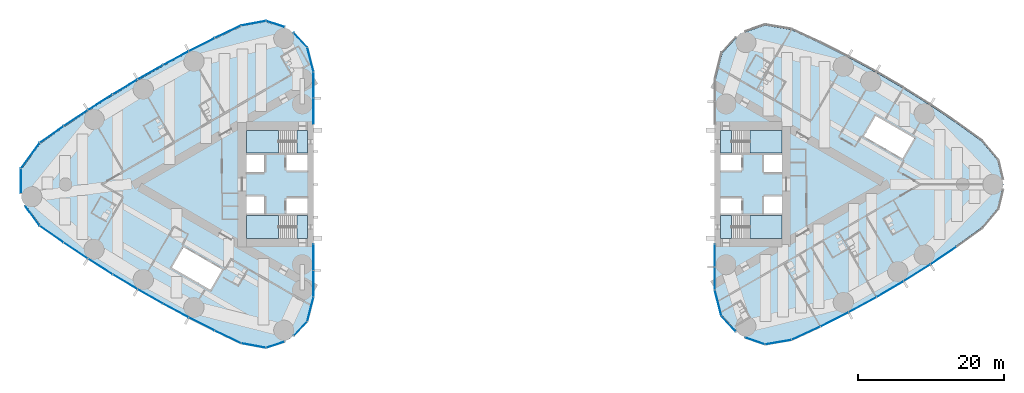
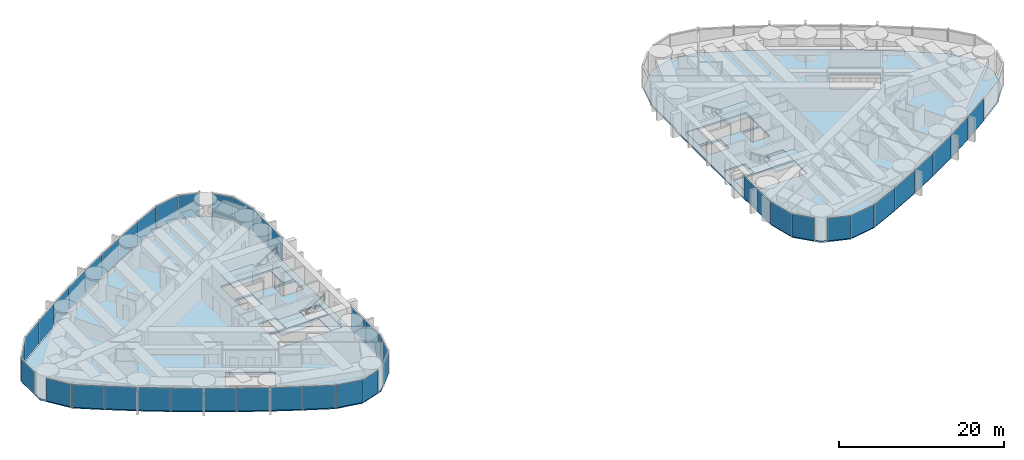
# One storey, part 10 of 19: 43 plates, 10 slabs, 10 elements without a shape of their own.
"""IFC4 building model written with IfcOpenShell, lengths in metres."""

from ifc_helpers import new_model, si_unit, direction, frame, origin, origin_2d, place, context, subcontext, project, spatial, polyline, rectangle, outline, extrude, material, layer, layer_set, type_object, element, aggregate, save


model = new_model("IFC4")

# Units and contexts
model_context = context("Model", 3, precision=1e-05, world=origin(), true_north=direction((0.0, 1.0)))
body_context = subcontext(model_context, "Body", "Model", "MODEL_VIEW")
ifc_project = project(units=[si_unit("LENGTHUNIT", "METRE"), si_unit("AREAUNIT", "SQUARE_METRE"), si_unit("VOLUMEUNIT", "CUBIC_METRE"), si_unit("PLANEANGLEUNIT", "RADIAN"), si_unit("MASSUNIT", "GRAM", prefix="KILO")], contexts=[model_context])

# Site, building, storey
site_placement = place(None, origin())
site = spatial("IfcSite", under=ifc_project, at=site_placement, CompositionType="ELEMENT")
building_placement = place(site_placement, origin())
building = spatial("IfcBuilding", under=site, at=building_placement, Name="Lancet Gate Hotel", CompositionType="ELEMENT")
storey_placement = place(building_placement, frame((0.0, 0.0, 191.300048828125)))
storey = spatial("IfcBuildingStorey", under=building, at=storey_placement, Name="L51", CompositionType="ELEMENT", Elevation=191.300048828125)

# Slabs
ifc_material_1 = material(Name="Concrete C50/60", Category="concrete")
ifc_layer_1 = layer(ifc_material_1, 0.25)
ifc_layer_set_1 = layer_set([ifc_layer_1], Name="Floor slab 250")
slab_type_1 = type_object("IfcSlabType", Name="Floor slab 250", PredefinedType="FLOOR", material=ifc_layer_set_1)
slab_1_placement = place(storey_placement, frame((0.0, 0.0, -0.25)))
element("IfcSlab", 1, at=slab_1_placement, inside=storey, type_object=slab_type_1, Name="T1 L51 floor slab", PredefinedType="FLOOR", context=body_context, shape_type="SweptSolid", body=[
    extrude(outline(polyline([(-27.5, 8.60009765625), (-27.6201171875, 8.60009765625), (-27.6201171875, 15.408203125), (-28.46923828125, 18.7265625), (-30.797607421875, 21.217529296875), (-34.0361328125, 22.283935546875), (-37.403564453125, 21.660400390625), (-40.996826171875, 19.9453125), (-44.561767578125, 18.139404296875), (-48.0830078125, 16.250244140625), (-51.558837890625, 14.27880859375), (-54.987548828125, 12.22607421875), (-58.366943359375, 10.09326171875), (-61.695068359375, 7.881591796875), (-64.955322265625, 5.602783203125), (-67.49560546875, 2.138427734375), (-67.49560546875, -2.138427734375), (-64.955322265625, -5.602783203125), (-61.695068359375, -7.881591796875), (-58.366943359375, -10.09326171875), (-54.987548828125, -12.22607421875), (-51.558837890625, -14.27880859375), (-48.0830078125, -16.250244140625), (-44.561767578125, -18.139404296875), (-40.996826171875, -19.9453125), (-37.403564453125, -21.660400390625), (-34.0361328125, -22.283935546875), (-30.797607421875, -21.217529296875), (-28.46923828125, -18.7265625), (-27.6201171875, -15.408203125), (-27.6201171875, -8.60009765625), (-27.5, -8.60009765625), (-27.5, -8.199951171875), (-27.5, 8.199951171875), (-27.5, 8.60009765625)]), holes=[polyline([(-36.699951171875, 7.39990234375), (-36.699951171875, 4.300048828125), (-28.300048828125, 4.300048828125), (-28.300048828125, 7.39990234375), (-36.699951171875, 7.39990234375)]), polyline([(-28.300048828125, 4.0), (-31.199951171875, 4.0), (-31.199951171875, 1.89990234375), (-28.300048828125, 1.89990234375), (-28.300048828125, 4.0)]), polyline([(-34.25, 4.0), (-36.699951171875, 4.0), (-36.699951171875, 1.64990234375), (-34.25, 1.64990234375), (-34.25, 4.0)]), polyline([(-36.699951171875, -1.64990234375), (-36.699951171875, -4.0), (-34.25, -4.0), (-34.25, -1.64990234375), (-36.699951171875, -1.64990234375)]), polyline([(-28.300048828125, -1.89990234375), (-31.199951171875, -1.89990234375), (-31.199951171875, -4.0), (-28.300048828125, -4.0), (-28.300048828125, -1.89990234375)]), polyline([(-28.300048828125, -4.300048828125), (-36.699951171875, -4.300048828125), (-36.699951171875, -7.39990234375), (-28.300048828125, -7.39990234375), (-28.300048828125, -4.300048828125)]), polyline([(-45.319091796875, -8.631103515625), (-46.9189453125, -11.402099609375), (-41.635986328125, -14.451904296875), (-40.035888671875, -11.680908203125), (-45.319091796875, -8.631103515625)])]), origin(), (0.0, 0.0, 1.0), 0.25),
])
slab_2_placement = place(storey_placement, frame((0.0, 0.0, -0.25)))
element("IfcSlab", 2, at=slab_2_placement, inside=storey, type_object=slab_type_1, Name="T2 L51 floor slab", PredefinedType="FLOOR", context=body_context, shape_type="SweptSolid", body=[
    extrude(outline(polyline([(27.5, -8.60009765625), (27.6201171875, -8.60009765625), (27.6201171875, -14.450439453125), (28.517822265625, -17.9853515625), (30.98291015625, -20.65185546875), (34.421875, -21.819091796875), (38.01513671875, -21.201171875), (41.9296875, -19.383056640625), (45.796875, -17.435302734375), (49.6005859375, -15.36572265625), (53.336669921875, -13.1767578125), (57.00146484375, -10.87060546875), (60.591552734375, -8.44921875), (64.092041015625, -5.9228515625), (66.283447265625, -3.307373046875), (67.06640625, 0.0), (66.283447265625, 3.307373046875), (64.092041015625, 5.9228515625), (60.591552734375, 8.44921875), (57.00146484375, 10.87060546875), (53.336669921875, 13.1767578125), (49.6005859375, 15.36572265625), (45.796875, 17.435302734375), (41.9296875, 19.383056640625), (38.01513671875, 21.201171875), (34.421875, 21.819091796875), (30.98291015625, 20.65185546875), (28.517822265625, 17.9853515625), (27.6201171875, 14.450439453125), (27.6201171875, 8.60009765625), (27.5, 8.60009765625), (27.5, 8.199951171875), (27.5, -8.199951171875), (27.5, -8.60009765625)]), holes=[polyline([(36.699951171875, -7.39990234375), (36.699951171875, -4.300048828125), (28.300048828125, -4.300048828125), (28.300048828125, -7.39990234375), (36.699951171875, -7.39990234375)]), polyline([(28.300048828125, -4.0), (31.199951171875, -4.0), (31.199951171875, -1.89990234375), (28.300048828125, -1.89990234375), (28.300048828125, -4.0)]), polyline([(34.25, -4.0), (36.699951171875, -4.0), (36.699951171875, -1.64990234375), (34.25, -1.64990234375), (34.25, -4.0)]), polyline([(36.699951171875, 1.64990234375), (36.699951171875, 4.0), (34.25, 4.0), (34.25, 1.64990234375), (36.699951171875, 1.64990234375)]), polyline([(28.300048828125, 1.89990234375), (31.199951171875, 1.89990234375), (31.199951171875, 4.0), (28.300048828125, 4.0), (28.300048828125, 1.89990234375)]), polyline([(28.300048828125, 4.300048828125), (36.699951171875, 4.300048828125), (36.699951171875, 7.39990234375), (28.300048828125, 7.39990234375), (28.300048828125, 4.300048828125)]), polyline([(53.242919921875, 3.555908203125), (54.843017578125, 6.326904296875), (49.56103515625, 9.376953125), (47.9609375, 6.60595703125), (53.242919921875, 3.555908203125)])]), origin(), (0.0, 0.0, 1.0), 0.25),
])

# Stair, slabs
ifc_material_2 = material(Name="Exit stair 20 risers 1500")
stair_type = type_object("IfcStairType", Name="Exit stair 20 risers 1500", PredefinedType="HALF_TURN_STAIR", material=ifc_material_2)
stair_1_placement = place(storey_placement, origin())
stair_1 = element("IfcStair", 3, at=stair_1_placement, inside=storey, type_object=stair_type, Name="T1 stair 1 L51", PredefinedType="HALF_TURN_STAIR")
ifc_material_3 = material(Name="Concrete C40/50", Category="concrete")
ifc_layer_2 = layer(ifc_material_3, 0.199951171875)
ifc_layer_set_2 = layer_set([ifc_layer_2], Name="Stair landing 200")
slab_type_2 = type_object("IfcSlabType", Name="Stair landing 200", PredefinedType="LANDING", material=ifc_layer_set_2)
slab_3_placement = place(storey_placement, frame((0.0, 0.0, -0.199951171875)))
slab_3 = element("IfcSlab", 4, at=slab_3_placement, type_object=slab_type_2, Name="ST1 landing 1", PredefinedType="LANDING", context=body_context, shape_type="SweptSolid", body=[
    extrude(outline(polyline([(-28.300048828125, 7.39990234375), (-29.800048828125, 7.39990234375), (-29.800048828125, 4.300048828125), (-28.300048828125, 4.300048828125), (-28.300048828125, 7.39990234375)])), origin(), (0.0, 0.0, 1.0), 0.199951171875),
])
slab_4_placement = place(storey_placement, frame((0.0, 0.0, 1.550048828125)))
slab_4 = element("IfcSlab", 5, at=slab_4_placement, type_object=slab_type_2, Name="ST1 landing 2", PredefinedType="LANDING", context=body_context, shape_type="SweptSolid", body=[
    extrude(outline(polyline([(-32.320068359375, 7.39990234375), (-36.699951171875, 7.39990234375), (-36.699951171875, 4.300048828125), (-32.320068359375, 4.300048828125), (-32.320068359375, 7.39990234375)])), origin(), (0.0, 0.0, 1.0), 0.199951171875),
])
aggregate(stair_1, [slab_3, slab_4])

stair_2_placement = place(storey_placement, origin())
stair_2 = element("IfcStair", 6, at=stair_2_placement, inside=storey, type_object=stair_type, Name="T1 stair 2 L51", PredefinedType="HALF_TURN_STAIR")
slab_5_placement = place(storey_placement, frame((0.0, 0.0, -0.199951171875)))
slab_5 = element("IfcSlab", 7, at=slab_5_placement, type_object=slab_type_2, Name="ST2 landing 1", PredefinedType="LANDING", context=body_context, shape_type="SweptSolid", body=[
    extrude(outline(polyline([(-28.300048828125, -4.300048828125), (-29.800048828125, -4.300048828125), (-29.800048828125, -7.39990234375), (-28.300048828125, -7.39990234375), (-28.300048828125, -4.300048828125)])), origin(), (0.0, 0.0, 1.0), 0.199951171875),
])
slab_6_placement = place(storey_placement, frame((0.0, 0.0, 1.550048828125)))
slab_6 = element("IfcSlab", 8, at=slab_6_placement, type_object=slab_type_2, Name="ST2 landing 2", PredefinedType="LANDING", context=body_context, shape_type="SweptSolid", body=[
    extrude(outline(polyline([(-32.320068359375, -4.300048828125), (-36.699951171875, -4.300048828125), (-36.699951171875, -7.39990234375), (-32.320068359375, -7.39990234375), (-32.320068359375, -4.300048828125)])), origin(), (0.0, 0.0, 1.0), 0.199951171875),
])
aggregate(stair_2, [slab_5, slab_6])

stair_3_placement = place(storey_placement, origin())
stair_3 = element("IfcStair", 9, at=stair_3_placement, inside=storey, type_object=stair_type, Name="T2 stair 1 L51", PredefinedType="HALF_TURN_STAIR")
slab_7_placement = place(storey_placement, frame((0.0, 0.0, -0.199951171875)))
slab_7 = element("IfcSlab", 10, at=slab_7_placement, type_object=slab_type_2, Name="ST3 landing 1", PredefinedType="LANDING", context=body_context, shape_type="SweptSolid", body=[
    extrude(outline(polyline([(28.300048828125, -7.39990234375), (29.800048828125, -7.39990234375), (29.800048828125, -4.300048828125), (28.300048828125, -4.300048828125), (28.300048828125, -7.39990234375)])), origin(), (0.0, 0.0, 1.0), 0.199951171875),
])
slab_8_placement = place(storey_placement, frame((0.0, 0.0, 1.550048828125)))
slab_8 = element("IfcSlab", 11, at=slab_8_placement, type_object=slab_type_2, Name="ST3 landing 2", PredefinedType="LANDING", context=body_context, shape_type="SweptSolid", body=[
    extrude(outline(polyline([(32.320068359375, -7.39990234375), (36.699951171875, -7.39990234375), (36.699951171875, -4.300048828125), (32.320068359375, -4.300048828125), (32.320068359375, -7.39990234375)])), origin(), (0.0, 0.0, 1.0), 0.199951171875),
])
aggregate(stair_3, [slab_7, slab_8])

stair_4_placement = place(storey_placement, origin())
stair_4 = element("IfcStair", 12, at=stair_4_placement, inside=storey, type_object=stair_type, Name="T2 stair 2 L51", PredefinedType="HALF_TURN_STAIR")
slab_9_placement = place(storey_placement, frame((0.0, 0.0, -0.199951171875)))
slab_9 = element("IfcSlab", 13, at=slab_9_placement, type_object=slab_type_2, Name="ST4 landing 1", PredefinedType="LANDING", context=body_context, shape_type="SweptSolid", body=[
    extrude(outline(polyline([(28.300048828125, 4.300048828125), (29.800048828125, 4.300048828125), (29.800048828125, 7.39990234375), (28.300048828125, 7.39990234375), (28.300048828125, 4.300048828125)])), origin(), (0.0, 0.0, 1.0), 0.199951171875),
])
slab_10_placement = place(storey_placement, frame((0.0, 0.0, 1.550048828125)))
slab_10 = element("IfcSlab", 14, at=slab_10_placement, type_object=slab_type_2, Name="ST4 landing 2", PredefinedType="LANDING", context=body_context, shape_type="SweptSolid", body=[
    extrude(outline(polyline([(32.320068359375, 4.300048828125), (36.699951171875, 4.300048828125), (36.699951171875, 7.39990234375), (32.320068359375, 7.39990234375), (32.320068359375, 4.300048828125)])), origin(), (0.0, 0.0, 1.0), 0.199951171875),
])
aggregate(stair_4, [slab_9, slab_10])

# Curtain wall, plates
ifc_material_4 = material(Name="Aluminium curtain wall", Category="aluminium")
curtain_wall_type = type_object("IfcCurtainWallType", Name="Tower unitised curtain wall", PredefinedType="USERDEFINED", material=ifc_material_4)
curtain_wall_1_placement = place(storey_placement, origin())
curtain_wall_1 = element("IfcCurtainWall", 15, at=curtain_wall_1_placement, inside=storey, type_object=curtain_wall_type, Name="T1 L51 curtain wall 1", ObjectType="UNITISED CURTAIN WALL", PredefinedType="USERDEFINED")
ifc_material_5 = material(Name="Glass double glazed unit 8-16-6", Category="glass")
ifc_layer_3 = layer(ifc_material_5, 0.030029296875)
ifc_layer_set_3 = layer_set([ifc_layer_3], Name="Vision panel double glazed")
plate_type = type_object("IfcPlateType", Name="Vision panel double glazed", PredefinedType="CURTAIN_PANEL", material=ifc_layer_set_3)
plate_1_placement = place(storey_placement, frame((-27.5, 10.005859375, 0.0), z_axis=(0.0, 0.0, 1.0), x_axis=(0.0, 1.0, 0.0)))
plate_1 = element("IfcPlate", 16, at=plate_1_placement, type_object=plate_type, Name="T1 L51 curtain wall 1 panel 1", PredefinedType="CURTAIN_PANEL", context=body_context, shape_type="SweptSolid", body=[
    extrude(rectangle(XDim=3.546630859375, YDim=0.030029296875, at=origin_2d()), origin(), (0.0, 0.0, 1.0), 3.35009765625),
])
plate_2_placement = place(storey_placement, frame((-27.5, 13.617431640625, 0.0), z_axis=(0.0, 0.0, 1.0), x_axis=(0.0, 1.0, 0.0)))
plate_2 = element("IfcPlate", 17, at=plate_2_placement, type_object=plate_type, Name="T1 L51 curtain wall 1 panel 2", PredefinedType="CURTAIN_PANEL", context=body_context, shape_type="SweptSolid", body=[
    extrude(rectangle(XDim=3.546630859375, YDim=0.030029296875, at=origin_2d()), origin(), (0.0, 0.0, 1.0), 3.35009765625),
])
plate_3_placement = place(storey_placement, frame((-27.930419921875, 17.104736328125, 0.0), z_axis=(0.0, 0.0, 1.0), x_axis=(-0.247936754654, 0.968776220647, 0.0)))
plate_3 = element("IfcPlate", 18, at=plate_3_placement, type_object=plate_type, Name="T1 L51 curtain wall 1 panel 3", PredefinedType="CURTAIN_PANEL", context=body_context, shape_type="SweptSolid", body=[
    extrude(rectangle(XDim=3.406005859375, YDim=0.030029296875, at=origin_2d()), origin(), (0.0, 0.0, 1.0), 3.35009765625),
])
plate_4_placement = place(storey_placement, frame((-29.28564453125, 19.77587890625, 0.0), z_axis=(0.0, 0.0, 1.0), x_axis=(-0.682844962172, 0.730563315282, 0.0)))
plate_4 = element("IfcPlate", 19, at=plate_4_placement, type_object=plate_type, Name="T1 L51 curtain wall 1 panel 4", PredefinedType="CURTAIN_PANEL", context=body_context, shape_type="SweptSolid", body=[
    extrude(rectangle(XDim=2.64453125, YDim=0.030029296875, at=origin_2d()), origin(), (0.0, 0.0, 1.0), 3.35009765625),
])
aggregate(curtain_wall_1, [plate_1, plate_2, plate_3, plate_4])

curtain_wall_2_placement = place(storey_placement, origin())
curtain_wall_2 = element("IfcCurtainWall", 20, at=curtain_wall_2_placement, inside=storey, type_object=curtain_wall_type, Name="T1 L51 curtain wall 2", ObjectType="UNITISED CURTAIN WALL", PredefinedType="USERDEFINED")
plate_5_placement = place(storey_placement, frame((-32.740234375, 21.983642578125, 0.0), z_axis=(0.0, 0.0, 1.0), x_axis=(-0.949848055084, 0.312711803827, 0.0)))
plate_5 = element("IfcPlate", 21, at=plate_5_placement, type_object=plate_type, Name="T1 L51 curtain wall 2 panel 1", PredefinedType="CURTAIN_PANEL", context=body_context, shape_type="SweptSolid", body=[
    extrude(rectangle(XDim=2.64599609375, YDim=0.030029296875, at=origin_2d()), origin(), (0.0, 0.0, 1.0), 3.35009765625),
])
plate_6_placement = place(storey_placement, frame((-35.734375, 22.091552734375, 0.0), z_axis=(0.0, 0.0, 1.0), x_axis=(-0.983292499426, -0.182032581075, 0.0)))
plate_6 = element("IfcPlate", 22, at=plate_6_placement, type_object=plate_type, Name="T1 L51 curtain wall 2 panel 2", PredefinedType="CURTAIN_PANEL", context=body_context, shape_type="SweptSolid", body=[
    extrude(rectangle(XDim=3.406005859375, YDim=0.030029296875, at=origin_2d()), origin(), (0.0, 0.0, 1.0), 3.35009765625),
])
plate_7_placement = place(storey_placement, frame((-39.245361328125, 20.914306640625, 0.0), z_axis=(0.0, 0.0, 1.0), x_axis=(-0.902453530018, -0.430787216799, 0.0)))
plate_7 = element("IfcPlate", 23, at=plate_7_placement, type_object=plate_type, Name="T1 L51 curtain wall 2 panel 3", PredefinedType="CURTAIN_PANEL", context=body_context, shape_type="SweptSolid", body=[
    extrude(rectangle(XDim=3.933837890625, YDim=0.030029296875, at=origin_2d()), origin(), (0.0, 0.0, 1.0), 3.35009765625),
])
plate_8_placement = place(storey_placement, frame((-42.83349609375, 19.1494140625, 0.0), z_axis=(0.0, 0.0, 1.0), x_axis=(-0.892071119911, -0.451895028762, 0.0)))
plate_8 = element("IfcPlate", 24, at=plate_8_placement, type_object=plate_type, Name="T1 L51 curtain wall 2 panel 4", PredefinedType="CURTAIN_PANEL", context=body_context, shape_type="SweptSolid", body=[
    extrude(rectangle(XDim=3.933837890625, YDim=0.030029296875, at=origin_2d()), origin(), (0.0, 0.0, 1.0), 3.35009765625),
])
plate_9_placement = place(storey_placement, frame((-46.379150390625, 17.300537109375, 0.0), z_axis=(0.0, 0.0, 1.0), x_axis=(-0.881195096384, -0.472752791751, 0.0)))
plate_9 = element("IfcPlate", 25, at=plate_9_placement, type_object=plate_type, Name="T1 L51 curtain wall 2 panel 5", PredefinedType="CURTAIN_PANEL", context=body_context, shape_type="SweptSolid", body=[
    extrude(rectangle(XDim=3.933837890625, YDim=0.030029296875, at=origin_2d()), origin(), (0.0, 0.0, 1.0), 3.35009765625),
])
plate_10_placement = place(storey_placement, frame((-49.880126953125, 15.368896484375, 0.0), z_axis=(0.0, 0.0, 1.0), x_axis=(-0.869831477496, -0.493348964484, 0.0)))
plate_10 = element("IfcPlate", 26, at=plate_10_placement, type_object=plate_type, Name="T1 L51 curtain wall 2 panel 6", PredefinedType="CURTAIN_PANEL", context=body_context, shape_type="SweptSolid", body=[
    extrude(rectangle(XDim=3.933837890625, YDim=0.030029296875, at=origin_2d()), origin(), (0.0, 0.0, 1.0), 3.35009765625),
])
plate_11_placement = place(storey_placement, frame((-53.3349609375, 13.35546875, 0.0), z_axis=(0.0, 0.0, 1.0), x_axis=(-0.857986551132, -0.51367215038, 0.0)))
plate_11 = element("IfcPlate", 27, at=plate_11_placement, type_object=plate_type, Name="T1 L51 curtain wall 2 panel 7", PredefinedType="CURTAIN_PANEL", context=body_context, shape_type="SweptSolid", body=[
    extrude(rectangle(XDim=3.933837890625, YDim=0.030029296875, at=origin_2d()), origin(), (0.0, 0.0, 1.0), 3.35009765625),
])
plate_12_placement = place(storey_placement, frame((-56.7412109375, 11.26123046875, 0.0), z_axis=(0.0, 0.0, 1.0), x_axis=(-0.845666871497, -0.533711103925, 0.0)))
plate_12 = element("IfcPlate", 28, at=plate_12_placement, type_object=plate_type, Name="T1 L51 curtain wall 2 panel 8", PredefinedType="CURTAIN_PANEL", context=body_context, shape_type="SweptSolid", body=[
    extrude(rectangle(XDim=3.933837890625, YDim=0.030029296875, at=origin_2d()), origin(), (0.0, 0.0, 1.0), 3.35009765625),
])
plate_13_placement = place(storey_placement, frame((-60.097412109375, 9.08740234375, 0.0), z_axis=(0.0, 0.0, 1.0), x_axis=(-0.832879255498, -0.553454736867, 0.0)))
plate_13 = element("IfcPlate", 29, at=plate_13_placement, type_object=plate_type, Name="T1 L51 curtain wall 2 panel 9", PredefinedType="CURTAIN_PANEL", context=body_context, shape_type="SweptSolid", body=[
    extrude(rectangle(XDim=3.933837890625, YDim=0.030029296875, at=origin_2d()), origin(), (0.0, 0.0, 1.0), 3.35009765625),
])
plate_14_placement = place(storey_placement, frame((-63.401611328125, 6.835205078125, 0.0), z_axis=(0.0, 0.0, 1.0), x_axis=(-0.819630778943, -0.572892124409, 0.0)))
plate_14 = element("IfcPlate", 30, at=plate_14_placement, type_object=plate_type, Name="T1 L51 curtain wall 2 panel 10", PredefinedType="CURTAIN_PANEL", context=body_context, shape_type="SweptSolid", body=[
    extrude(rectangle(XDim=3.933837890625, YDim=0.030029296875, at=origin_2d()), origin(), (0.0, 0.0, 1.0), 3.35009765625),
])
plate_15_placement = place(storey_placement, frame((-66.328125, 3.933837890625, 0.0), z_axis=(0.0, 0.0, 1.0), x_axis=(-0.591299785592, -0.806451835858, 0.0)))
plate_15 = element("IfcPlate", 31, at=plate_15_placement, type_object=plate_type, Name="T1 L51 curtain wall 2 panel 11", PredefinedType="CURTAIN_PANEL", context=body_context, shape_type="SweptSolid", body=[
    extrude(rectangle(XDim=4.290283203125, YDim=0.030029296875, at=origin_2d()), origin(), (0.0, 0.0, 1.0), 3.35009765625),
])
plate_16_placement = place(storey_placement, frame((-67.61572265625, 0.478515625, 0.0), z_axis=(0.0, 0.0, 1.0), x_axis=(0.0, -1.0, 0.0)))
plate_16 = element("IfcPlate", 32, at=plate_16_placement, type_object=plate_type, Name="T1 L51 curtain wall 2 panel 12", PredefinedType="CURTAIN_PANEL", context=body_context, shape_type="SweptSolid", body=[
    extrude(rectangle(XDim=3.333251953125, YDim=0.030029296875, at=origin_2d()), origin(), (0.0, 0.0, 1.0), 3.35009765625),
])
aggregate(curtain_wall_2, [plate_5, plate_6, plate_7, plate_8, plate_9, plate_10, plate_11, plate_12, plate_13, plate_14, plate_15, plate_16])

curtain_wall_3_placement = place(storey_placement, origin())
curtain_wall_3 = element("IfcCurtainWall", 33, at=curtain_wall_3_placement, inside=storey, type_object=curtain_wall_type, Name="T1 L51 curtain wall 3", ObjectType="UNITISED CURTAIN WALL", PredefinedType="USERDEFINED")
plate_17_placement = place(storey_placement, frame((-66.04541015625, -4.3193359375, 0.0), z_axis=(0.0, 0.0, 1.0), x_axis=(0.591299785592, -0.806451835858, 0.0)))
plate_17 = element("IfcPlate", 34, at=plate_17_placement, type_object=plate_type, Name="T1 L51 curtain wall 3 panel 1", PredefinedType="CURTAIN_PANEL", context=body_context, shape_type="SweptSolid", body=[
    extrude(rectangle(XDim=3.334228515625, YDim=0.030029296875, at=origin_2d()), origin(), (0.0, 0.0, 1.0), 3.35009765625),
])
plate_18_placement = place(storey_placement, frame((-63.401611328125, -6.835205078125, 0.0), z_axis=(0.0, 0.0, 1.0), x_axis=(0.819630778943, -0.572892124409, 0.0)))
plate_18 = element("IfcPlate", 35, at=plate_18_placement, type_object=plate_type, Name="T1 L51 curtain wall 3 panel 2", PredefinedType="CURTAIN_PANEL", context=body_context, shape_type="SweptSolid", body=[
    extrude(rectangle(XDim=3.933837890625, YDim=0.030029296875, at=origin_2d()), origin(), (0.0, 0.0, 1.0), 3.35009765625),
])
plate_19_placement = place(storey_placement, frame((-60.097412109375, -9.08740234375, 0.0), z_axis=(0.0, 0.0, 1.0), x_axis=(0.832879255498, -0.553454736867, 0.0)))
plate_19 = element("IfcPlate", 36, at=plate_19_placement, type_object=plate_type, Name="T1 L51 curtain wall 3 panel 3", PredefinedType="CURTAIN_PANEL", context=body_context, shape_type="SweptSolid", body=[
    extrude(rectangle(XDim=3.933837890625, YDim=0.030029296875, at=origin_2d()), origin(), (0.0, 0.0, 1.0), 3.35009765625),
])
plate_20_placement = place(storey_placement, frame((-56.7412109375, -11.26123046875, 0.0), z_axis=(0.0, 0.0, 1.0), x_axis=(0.845666871497, -0.533711103925, 0.0)))
plate_20 = element("IfcPlate", 37, at=plate_20_placement, type_object=plate_type, Name="T1 L51 curtain wall 3 panel 4", PredefinedType="CURTAIN_PANEL", context=body_context, shape_type="SweptSolid", body=[
    extrude(rectangle(XDim=3.933837890625, YDim=0.030029296875, at=origin_2d()), origin(), (0.0, 0.0, 1.0), 3.35009765625),
])
plate_21_placement = place(storey_placement, frame((-53.3349609375, -13.35546875, 0.0), z_axis=(0.0, 0.0, 1.0), x_axis=(0.857986551132, -0.51367215038, 0.0)))
plate_21 = element("IfcPlate", 38, at=plate_21_placement, type_object=plate_type, Name="T1 L51 curtain wall 3 panel 5", PredefinedType="CURTAIN_PANEL", context=body_context, shape_type="SweptSolid", body=[
    extrude(rectangle(XDim=3.933837890625, YDim=0.030029296875, at=origin_2d()), origin(), (0.0, 0.0, 1.0), 3.35009765625),
])
plate_22_placement = place(storey_placement, frame((-49.880126953125, -15.368896484375, 0.0), z_axis=(0.0, 0.0, 1.0), x_axis=(0.869831477496, -0.493348964484, 0.0)))
plate_22 = element("IfcPlate", 39, at=plate_22_placement, type_object=plate_type, Name="T1 L51 curtain wall 3 panel 6", PredefinedType="CURTAIN_PANEL", context=body_context, shape_type="SweptSolid", body=[
    extrude(rectangle(XDim=3.933837890625, YDim=0.030029296875, at=origin_2d()), origin(), (0.0, 0.0, 1.0), 3.35009765625),
])
plate_23_placement = place(storey_placement, frame((-46.379150390625, -17.300537109375, 0.0), z_axis=(0.0, 0.0, 1.0), x_axis=(0.881195096384, -0.472752791751, 0.0)))
plate_23 = element("IfcPlate", 40, at=plate_23_placement, type_object=plate_type, Name="T1 L51 curtain wall 3 panel 7", PredefinedType="CURTAIN_PANEL", context=body_context, shape_type="SweptSolid", body=[
    extrude(rectangle(XDim=3.933837890625, YDim=0.030029296875, at=origin_2d()), origin(), (0.0, 0.0, 1.0), 3.35009765625),
])
plate_24_placement = place(storey_placement, frame((-42.83349609375, -19.1494140625, 0.0), z_axis=(0.0, 0.0, 1.0), x_axis=(0.892071119911, -0.451895028762, 0.0)))
plate_24 = element("IfcPlate", 41, at=plate_24_placement, type_object=plate_type, Name="T1 L51 curtain wall 3 panel 8", PredefinedType="CURTAIN_PANEL", context=body_context, shape_type="SweptSolid", body=[
    extrude(rectangle(XDim=3.933837890625, YDim=0.030029296875, at=origin_2d()), origin(), (0.0, 0.0, 1.0), 3.35009765625),
])
plate_25_placement = place(storey_placement, frame((-39.245361328125, -20.914306640625, 0.0), z_axis=(0.0, 0.0, 1.0), x_axis=(0.902453530018, -0.430787216799, 0.0)))
plate_25 = element("IfcPlate", 42, at=plate_25_placement, type_object=plate_type, Name="T1 L51 curtain wall 3 panel 9", PredefinedType="CURTAIN_PANEL", context=body_context, shape_type="SweptSolid", body=[
    extrude(rectangle(XDim=3.933837890625, YDim=0.030029296875, at=origin_2d()), origin(), (0.0, 0.0, 1.0), 3.35009765625),
])
plate_26_placement = place(storey_placement, frame((-35.734375, -22.091552734375, 0.0), z_axis=(0.0, 0.0, 1.0), x_axis=(0.983292499426, -0.182032581075, 0.0)))
plate_26 = element("IfcPlate", 43, at=plate_26_placement, type_object=plate_type, Name="T1 L51 curtain wall 3 panel 10", PredefinedType="CURTAIN_PANEL", context=body_context, shape_type="SweptSolid", body=[
    extrude(rectangle(XDim=3.406005859375, YDim=0.030029296875, at=origin_2d()), origin(), (0.0, 0.0, 1.0), 3.35009765625),
])
plate_27_placement = place(storey_placement, frame((-32.740234375, -21.983642578125, 0.0), z_axis=(0.0, 0.0, 1.0), x_axis=(0.949848055084, 0.312711803827, 0.0)))
plate_27 = element("IfcPlate", 44, at=plate_27_placement, type_object=plate_type, Name="T1 L51 curtain wall 3 panel 11", PredefinedType="CURTAIN_PANEL", context=body_context, shape_type="SweptSolid", body=[
    extrude(rectangle(XDim=2.64599609375, YDim=0.030029296875, at=origin_2d()), origin(), (0.0, 0.0, 1.0), 3.35009765625),
])
aggregate(curtain_wall_3, [plate_17, plate_18, plate_19, plate_20, plate_21, plate_22, plate_23, plate_24, plate_25, plate_26, plate_27])

curtain_wall_4_placement = place(storey_placement, origin())
curtain_wall_4 = element("IfcCurtainWall", 45, at=curtain_wall_4_placement, inside=storey, type_object=curtain_wall_type, Name="T1 L51 curtain wall 4", ObjectType="UNITISED CURTAIN WALL", PredefinedType="USERDEFINED")
plate_28_placement = place(storey_placement, frame((-29.28564453125, -19.77587890625, 0.0), z_axis=(0.0, 0.0, 1.0), x_axis=(0.682844962172, 0.730563315282, 0.0)))
plate_28 = element("IfcPlate", 46, at=plate_28_placement, type_object=plate_type, Name="T1 L51 curtain wall 4 panel 1", PredefinedType="CURTAIN_PANEL", context=body_context, shape_type="SweptSolid", body=[
    extrude(rectangle(XDim=2.64453125, YDim=0.030029296875, at=origin_2d()), origin(), (0.0, 0.0, 1.0), 3.35009765625),
])
plate_29_placement = place(storey_placement, frame((-27.930419921875, -17.104736328125, 0.0), z_axis=(0.0, 0.0, 1.0), x_axis=(0.247936754654, 0.968776220647, 0.0)))
plate_29 = element("IfcPlate", 47, at=plate_29_placement, type_object=plate_type, Name="T1 L51 curtain wall 4 panel 2", PredefinedType="CURTAIN_PANEL", context=body_context, shape_type="SweptSolid", body=[
    extrude(rectangle(XDim=3.406005859375, YDim=0.030029296875, at=origin_2d()), origin(), (0.0, 0.0, 1.0), 3.35009765625),
])
plate_30_placement = place(storey_placement, frame((-27.5, -13.617431640625, 0.0), z_axis=(0.0, 0.0, 1.0), x_axis=(0.0, 1.0, 0.0)))
plate_30 = element("IfcPlate", 48, at=plate_30_placement, type_object=plate_type, Name="T1 L51 curtain wall 4 panel 3", PredefinedType="CURTAIN_PANEL", context=body_context, shape_type="SweptSolid", body=[
    extrude(rectangle(XDim=3.546630859375, YDim=0.030029296875, at=origin_2d()), origin(), (0.0, 0.0, 1.0), 3.35009765625),
])
plate_31_placement = place(storey_placement, frame((-27.5, -10.005859375, 0.0), z_axis=(0.0, 0.0, 1.0), x_axis=(0.0, 1.0, 0.0)))
plate_31 = element("IfcPlate", 49, at=plate_31_placement, type_object=plate_type, Name="T1 L51 curtain wall 4 panel 4", PredefinedType="CURTAIN_PANEL", context=body_context, shape_type="SweptSolid", body=[
    extrude(rectangle(XDim=3.546630859375, YDim=0.030029296875, at=origin_2d()), origin(), (0.0, 0.0, 1.0), 3.35009765625),
])
aggregate(curtain_wall_4, [plate_28, plate_29, plate_30, plate_31])

curtain_wall_5_placement = place(storey_placement, origin())
curtain_wall_5 = element("IfcCurtainWall", 50, at=curtain_wall_5_placement, inside=storey, type_object=curtain_wall_type, Name="T2 L51 curtain wall 1", ObjectType="UNITISED CURTAIN WALL", PredefinedType="USERDEFINED")
plate_32_placement = place(storey_placement, frame((27.5, -9.766357421875, 0.0), z_axis=(0.0, 0.0, 1.0), x_axis=(0.0, -1.0, 0.0)))
plate_32 = element("IfcPlate", 51, at=plate_32_placement, type_object=plate_type, Name="T2 L51 curtain wall 1 panel 1", PredefinedType="CURTAIN_PANEL", context=body_context, shape_type="SweptSolid", body=[
    extrude(rectangle(XDim=3.06787109375, YDim=0.030029296875, at=origin_2d()), origin(), (0.0, 0.0, 1.0), 3.35009765625),
])
plate_33_placement = place(storey_placement, frame((27.5, -12.899169921875, 0.0), z_axis=(0.0, 0.0, 1.0), x_axis=(0.0, -1.0, 0.0)))
plate_33 = element("IfcPlate", 52, at=plate_33_placement, type_object=plate_type, Name="T2 L51 curtain wall 1 panel 2", PredefinedType="CURTAIN_PANEL", context=body_context, shape_type="SweptSolid", body=[
    extrude(rectangle(XDim=3.06787109375, YDim=0.030029296875, at=origin_2d()), origin(), (0.0, 0.0, 1.0), 3.35009765625),
])
plate_34_placement = place(storey_placement, frame((27.95458984375, -16.2548828125, 0.0), z_axis=(0.0, 0.0, 1.0), x_axis=(0.246166705764, -0.969227503207, 0.0)))
plate_34 = element("IfcPlate", 53, at=plate_34_placement, type_object=plate_type, Name="T2 L51 curtain wall 1 panel 3", PredefinedType="CURTAIN_PANEL", context=body_context, shape_type="SweptSolid", body=[
    extrude(rectangle(XDim=3.62744140625, YDim=0.030029296875, at=origin_2d()), origin(), (0.0, 0.0, 1.0), 3.35009765625),
])
plate_35_placement = place(storey_placement, frame((29.4052734375, -19.122314453125, 0.0), z_axis=(0.0, 0.0, 1.0), x_axis=(0.67883123083, -0.734294327943, 0.0)))
plate_35 = element("IfcPlate", 54, at=plate_35_placement, type_object=plate_type, Name="T2 L51 curtain wall 1 panel 4", PredefinedType="CURTAIN_PANEL", context=body_context, shape_type="SweptSolid", body=[
    extrude(rectangle(XDim=2.87060546875, YDim=0.030029296875, at=origin_2d()), origin(), (0.0, 0.0, 1.0), 3.35009765625),
])
aggregate(curtain_wall_5, [plate_32, plate_33, plate_34, plate_35])

curtain_wall_6_placement = place(storey_placement, origin())
curtain_wall_6 = element("IfcCurtainWall", 55, at=curtain_wall_6_placement, inside=storey, type_object=curtain_wall_type, Name="T2 L51 curtain wall 2", ObjectType="UNITISED CURTAIN WALL", PredefinedType="USERDEFINED")
plate_36_placement = place(storey_placement, frame((33.02197265625, -21.470703125, 0.0), z_axis=(0.0, 0.0, 1.0), x_axis=(0.946952368511, -0.321373943827, 0.0)))
plate_36 = element("IfcPlate", 56, at=plate_36_placement, type_object=plate_type, Name="T2 L51 curtain wall 2 panel 1", PredefinedType="CURTAIN_PANEL", context=body_context, shape_type="SweptSolid", body=[
    extrude(rectangle(XDim=2.871337890625, YDim=0.030029296875, at=origin_2d()), origin(), (0.0, 0.0, 1.0), 3.35009765625),
])
plate_37_placement = place(storey_placement, frame((36.231689453125, -21.629638671875, 0.0), z_axis=(0.0, 0.0, 1.0), x_axis=(0.985539649572, 0.169444973729, 0.0)))
plate_37 = element("IfcPlate", 57, at=plate_37_placement, type_object=plate_type, Name="T2 L51 curtain wall 2 panel 2", PredefinedType="CURTAIN_PANEL", context=body_context, shape_type="SweptSolid", body=[
    extrude(rectangle(XDim=3.62744140625, YDim=0.030029296875, at=origin_2d()), origin(), (0.0, 0.0, 1.0), 3.35009765625),
])
plate_38_placement = place(storey_placement, frame((40.0166015625, -20.40380859375, 0.0), z_axis=(0.0, 0.0, 1.0), x_axis=(0.906934888522, 0.421270824982, 0.0)))
plate_38 = element("IfcPlate", 58, at=plate_38_placement, type_object=plate_type, Name="T2 L51 curtain wall 2 panel 3", PredefinedType="CURTAIN_PANEL", context=body_context, shape_type="SweptSolid", body=[
    extrude(rectangle(XDim=4.26904296875, YDim=0.030029296875, at=origin_2d()), origin(), (0.0, 0.0, 1.0), 3.35009765625),
])
plate_39_placement = place(storey_placement, frame((43.917236328125, -18.516357421875, 0.0), z_axis=(0.0, 0.0, 1.0), x_axis=(0.893121465596, 0.449815570752, 0.0)))
plate_39 = element("IfcPlate", 59, at=plate_39_placement, type_object=plate_type, Name="T2 L51 curtain wall 2 panel 4", PredefinedType="CURTAIN_PANEL", context=body_context, shape_type="SweptSolid", body=[
    extrude(rectangle(XDim=4.26904296875, YDim=0.030029296875, at=origin_2d()), origin(), (0.0, 0.0, 1.0), 3.35009765625),
])
plate_40_placement = place(storey_placement, frame((47.756103515625, -16.505859375, 0.0), z_axis=(0.0, 0.0, 1.0), x_axis=(0.878409907967, 0.477907976063, 0.0)))
plate_40 = element("IfcPlate", 60, at=plate_40_placement, type_object=plate_type, Name="T2 L51 curtain wall 2 panel 5", PredefinedType="CURTAIN_PANEL", context=body_context, shape_type="SweptSolid", body=[
    extrude(rectangle(XDim=4.26904296875, YDim=0.030029296875, at=origin_2d()), origin(), (0.0, 0.0, 1.0), 3.35009765625),
])
plate_41_placement = place(storey_placement, frame((51.529296875, -14.374755859375, 0.0), z_axis=(0.0, 0.0, 1.0), x_axis=(0.862815009772, 0.505519790822, 0.0)))
plate_41 = element("IfcPlate", 61, at=plate_41_placement, type_object=plate_type, Name="T2 L51 curtain wall 2 panel 6", PredefinedType="CURTAIN_PANEL", context=body_context, shape_type="SweptSolid", body=[
    extrude(rectangle(XDim=4.26904296875, YDim=0.030029296875, at=origin_2d()), origin(), (0.0, 0.0, 1.0), 3.35009765625),
])
plate_42_placement = place(storey_placement, frame((55.233154296875, -12.125244140625, 0.0), z_axis=(0.0, 0.0, 1.0), x_axis=(0.846352453444, 0.532623248225, 0.0)))
plate_42 = element("IfcPlate", 62, at=plate_42_placement, type_object=plate_type, Name="T2 L51 curtain wall 2 panel 7", PredefinedType="CURTAIN_PANEL", context=body_context, shape_type="SweptSolid", body=[
    extrude(rectangle(XDim=4.26904296875, YDim=0.030029296875, at=origin_2d()), origin(), (0.0, 0.0, 1.0), 3.35009765625),
])
plate_43_placement = place(storey_placement, frame((58.863525390625, -9.75927734375, 0.0), z_axis=(0.0, 0.0, 1.0), x_axis=(0.829038793948, 0.559191092677, 0.0)))
plate_43 = element("IfcPlate", 63, at=plate_43_placement, type_object=plate_type, Name="T2 L51 curtain wall 2 panel 8", PredefinedType="CURTAIN_PANEL", context=body_context, shape_type="SweptSolid", body=[
    extrude(rectangle(XDim=4.26904296875, YDim=0.030029296875, at=origin_2d()), origin(), (0.0, 0.0, 1.0), 3.35009765625),
])
aggregate(curtain_wall_6, [plate_36, plate_37, plate_38, plate_39, plate_40, plate_41, plate_42, plate_43])

save(model, "model.ifc")
